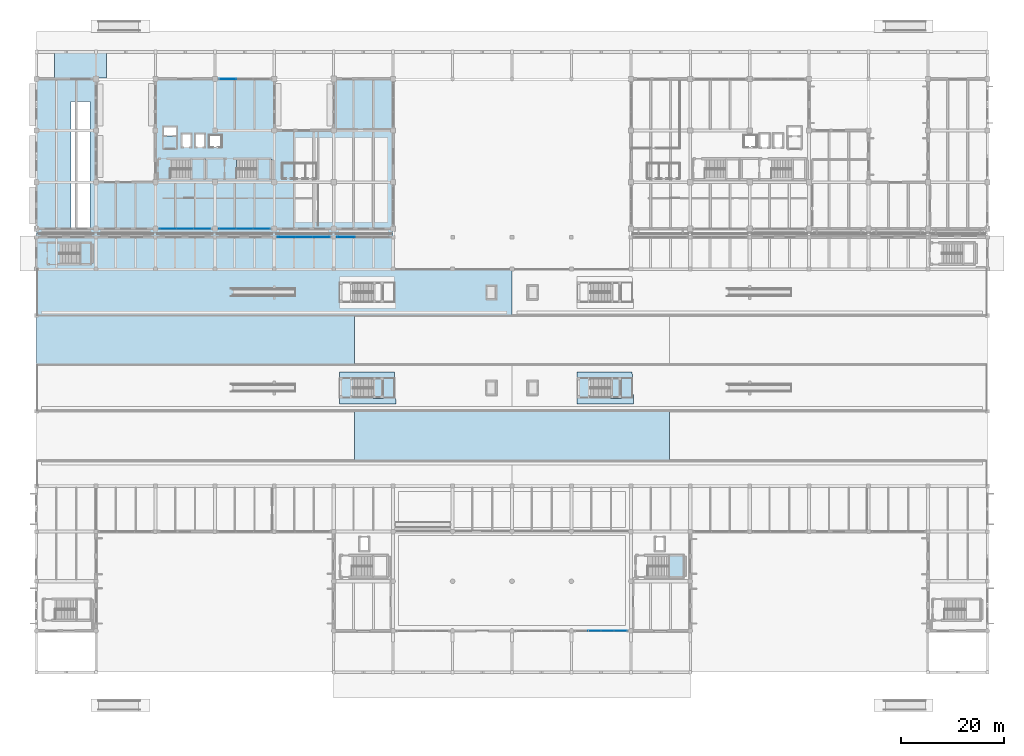
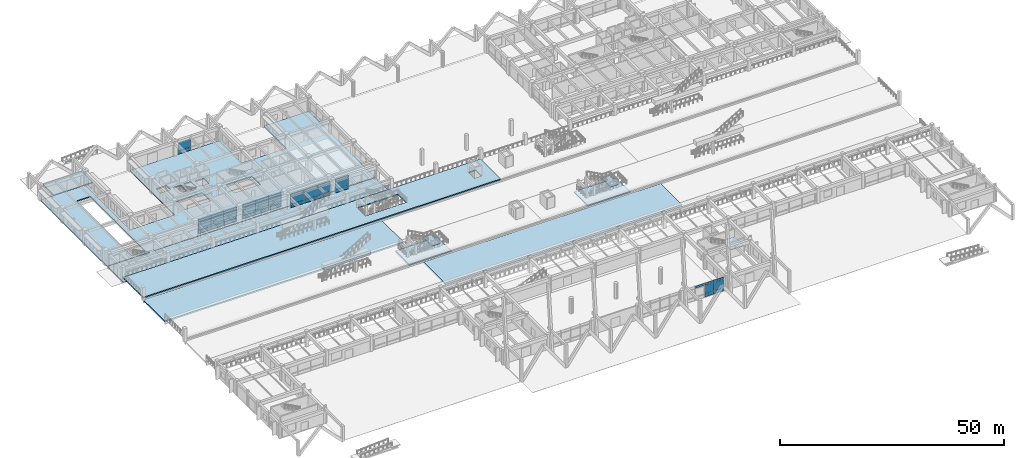
# One storey, part 73 of 109: 39 plates, 14 slabs, 12 elements without a shape of their own.
"""IFC4 building model written with IfcOpenShell, lengths in metres."""

from ifc_helpers import new_model, si_unit, direction, frame, origin, origin_2d, place, context, subcontext, project, spatial, polyline, rectangle, outline, extrude, material, layer, layer_set, type_object, element, aggregate, save


model = new_model("IFC4")

# Units and contexts
model_context = context("Model", 3, precision=1e-05, world=origin(), true_north=direction((0.0, 1.0)))
body_context = subcontext(model_context, "Body", "Model", "MODEL_VIEW")
ifc_project = project(units=[si_unit("LENGTHUNIT", "METRE"), si_unit("AREAUNIT", "SQUARE_METRE"), si_unit("VOLUMEUNIT", "CUBIC_METRE"), si_unit("PLANEANGLEUNIT", "RADIAN"), si_unit("MASSUNIT", "GRAM", prefix="KILO")], contexts=[model_context])

# Site, building, storey
site_placement = place(None, origin())
site = spatial("IfcSite", under=ifc_project, at=site_placement, CompositionType="ELEMENT")
building_placement = place(site_placement, origin())
building = spatial("IfcBuilding", under=site, at=building_placement, Name="Ologun Quay Terminus", CompositionType="ELEMENT")
storey_placement = place(building_placement, origin())
storey = spatial("IfcBuildingStorey", under=building, at=storey_placement, Name="L00", CompositionType="ELEMENT", Elevation=0.0)

# Curtain wall, plates
ifc_material_1 = material(Name="Aluminium 6063-T6", Category="aluminium")
curtain_wall_type_1 = type_object("IfcCurtainWallType", Name="Forecourt Arcade Curtain Wall 10700x3750", PredefinedType="USERDEFINED", material=ifc_material_1)
curtain_wall_1_placement = place(storey_placement, origin())
curtain_wall_1 = element("IfcCurtainWall", 1, at=curtain_wall_1_placement, inside=storey, type_object=curtain_wall_type_1, Name="CW-03 Curtain Wall CW-L00-006", ObjectType="UNITISED CURTAIN WALL", PredefinedType="USERDEFINED")
ifc_material_2 = material(Name="Glass", Category="glass")
ifc_layer_1 = layer(ifc_material_2, 0.031982421875)
ifc_layer_set_1 = layer_set([ifc_layer_1], Name="Glass")
plate_type_1 = type_object("IfcPlateType", Name="Acoustic Low-E Laminated Glazed Panel 32", PredefinedType="CURTAIN_PANEL", material=ifc_layer_set_1)
plate_1_placement = place(storey_placement, frame((108.017578125, 8.0, 3.2099609375), z_axis=(0.0, 0.0, 1.0), x_axis=(1.0, 0.0, 0.0)))
plate_1 = element("IfcPlate", 2, at=plate_1_placement, type_object=plate_type_1, Name="CW-L00-006 Panel B2-3", PredefinedType="CURTAIN_PANEL", context=body_context, shape_type="SweptSolid", body=[
    extrude(rectangle(XDim=2.465087890625, YDim=0.031982421875, at=origin_2d()), origin(), (0.0, 0.0, 1.0), 0.639892578125),
])
plate_2_placement = place(storey_placement, frame((110.482421875, 8.0, 0.93017578125), z_axis=(0.0, 0.0, 1.0), x_axis=(1.0, 0.0, 0.0)))
plate_2 = element("IfcPlate", 3, at=plate_2_placement, type_object=plate_type_1, Name="CW-L00-006 Panel B3-2", PredefinedType="CURTAIN_PANEL", context=body_context, shape_type="SweptSolid", body=[
    extrude(rectangle(XDim=2.465087890625, YDim=0.031982421875, at=origin_2d()), origin(), (0.0, 0.0, 1.0), 2.219970703125),
])
plate_3_placement = place(storey_placement, frame((110.482421875, 8.0, 3.2099609375), z_axis=(0.0, 0.0, 1.0), x_axis=(1.0, 0.0, 0.0)))
plate_3 = element("IfcPlate", 4, at=plate_3_placement, type_object=plate_type_1, Name="CW-L00-006 Panel B3-3", PredefinedType="CURTAIN_PANEL", context=body_context, shape_type="SweptSolid", body=[
    extrude(rectangle(XDim=2.465087890625, YDim=0.031982421875, at=origin_2d()), origin(), (0.0, 0.0, 1.0), 0.639892578125),
])
plate_4_placement = place(storey_placement, frame((112.947509765625, 8.0, 0.93017578125), z_axis=(0.0, 0.0, 1.0), x_axis=(1.0, 0.0, 0.0)))
plate_4 = element("IfcPlate", 5, at=plate_4_placement, type_object=plate_type_1, Name="CW-L00-006 Panel B4-2", PredefinedType="CURTAIN_PANEL", context=body_context, shape_type="SweptSolid", body=[
    extrude(rectangle(XDim=2.465087890625, YDim=0.031982421875, at=origin_2d()), origin(), (0.0, 0.0, 1.0), 2.219970703125),
])
plate_5_placement = place(storey_placement, frame((112.947509765625, 8.0, 3.2099609375), z_axis=(0.0, 0.0, 1.0), x_axis=(1.0, 0.0, 0.0)))
plate_5 = element("IfcPlate", 6, at=plate_5_placement, type_object=plate_type_1, Name="CW-L00-006 Panel B4-3", PredefinedType="CURTAIN_PANEL", context=body_context, shape_type="SweptSolid", body=[
    extrude(rectangle(XDim=2.465087890625, YDim=0.031982421875, at=origin_2d()), origin(), (0.0, 0.0, 1.0), 0.639892578125),
])

# Curtain wall, plate
ifc_material_3 = material(Name="Aluminium 6063-T6", Category="aluminium")
curtain_wall_type_2 = type_object("IfcCurtainWallType", Name="Waterfront Pavilion Harbour Curtain Wall L00 10500x3750", PredefinedType="USERDEFINED", material=ifc_material_3)
curtain_wall_2_placement = place(storey_placement, origin())
curtain_wall_2 = element("IfcCurtainWall", 7, at=curtain_wall_2_placement, inside=storey, type_object=curtain_wall_type_2, Name="CW-22 Curtain Wall CW-L00-096", ObjectType="UNITISED CURTAIN WALL", PredefinedType="USERDEFINED")
ifc_material_4 = material(Name="Aluminium 6063-T6", Category="aluminium")
ifc_layer_2 = layer(ifc_material_4, 0.06005859375)
ifc_layer_set_2 = layer_set([ifc_layer_2], Name="Aluminium 6063-T6")
plate_type_2 = type_object("IfcPlateType", Name="Anodised Bronze Spandrel Panel 60", PredefinedType="CURTAIN_PANEL", material=ifc_layer_set_2)
plate_6_placement = place(storey_placement, frame((36.99658203125, 114.800048828125, 0.02978515625), z_axis=(0.0, 0.0, 1.0), x_axis=(1.0, 0.0, 0.0)))
plate_6 = element("IfcPlate", 8, at=plate_6_placement, type_object=plate_type_2, Name="CW-L00-096 Panel B1-1", PredefinedType="CURTAIN_PANEL", context=body_context, shape_type="SweptSolid", body=[
    extrude(rectangle(XDim=3.25341796875, YDim=0.06005859375, at=origin_2d()), origin(), (0.0, 0.0, 1.0), 0.840087890625),
])

# Slabs
ifc_material_5 = material(Name="Concrete C40/50", Category="concrete")
ifc_layer_3 = layer(ifc_material_5, 0.320068359375)
ifc_layer_set_3 = layer_set([ifc_layer_3], Name="Concrete C40/50")
slab_type_1 = type_object("IfcSlabType", Name="Ground Podium Structural Slab 320", PredefinedType="FLOOR", material=ifc_layer_set_3)
slab_1_placement = place(storey_placement, frame((0.0, 0.0, -0.320068359375)))
element("IfcSlab", 9, at=slab_1_placement, inside=storey, type_object=slab_type_1, Name="SL-GND North Station Gallery Ground Slab W", PredefinedType="FLOOR", context=body_context, shape_type="SweptSolid", body=[
    extrude(outline(polyline([(0.0, 78.0), (69.0, 78.0), (69.0, 84.96240234375), (0.0, 84.96240234375), (0.0, 78.0)])), origin(), (0.0, 0.0, 1.0), 0.320068359375),
])
slab_2_placement = place(storey_placement, frame((0.0, 0.0, -0.320068359375)))
element("IfcSlab", 10, at=slab_2_placement, inside=storey, type_object=slab_type_1, Name="SL-GND North Wing Ground Slab WWNG", PredefinedType="FLOOR", context=body_context, shape_type="SweptSolid", body=[
    extrude(outline(polyline([(0.0, 85.03759765625), (69.0, 85.03759765625), (69.0, 114.800048828125), (57.5, 114.800048828125), (57.5, 104.800048828125), (46.0, 104.800048828125), (46.0, 114.800048828125), (23.0, 114.800048828125), (23.0, 94.800048828125), (11.5, 94.800048828125), (11.5, 114.800048828125), (0.0, 114.800048828125), (0.0, 85.03759765625)]), holes=[polyline([(24.449951171875, 103.780029296875), (24.449951171875, 105.6201171875), (27.14990234375, 105.6201171875), (27.14990234375, 103.780029296875), (24.449951171875, 103.780029296875)]), polyline([(28.050048828125, 101.5), (28.050048828125, 104.199951171875), (29.949951171875, 104.199951171875), (29.949951171875, 101.5), (28.050048828125, 101.5)]), polyline([(30.699951171875, 101.5), (30.699951171875, 104.199951171875), (32.60009765625, 104.199951171875), (32.60009765625, 101.5), (30.699951171875, 101.5)]), polyline([(25.8798828125, 95.550048828125), (25.8798828125, 99.14990234375), (32.64990234375, 99.14990234375), (32.64990234375, 95.550048828125), (25.8798828125, 95.550048828125)]), polyline([(38.72998046875, 95.550048828125), (38.72998046875, 99.14990234375), (45.449951171875, 99.14990234375), (45.449951171875, 95.550048828125), (38.72998046875, 95.550048828125)]), polyline([(6.699951171875, 85.919921875), (6.699951171875, 110.449951171875), (10.300048828125, 110.449951171875), (10.300048828125, 85.919921875), (6.699951171875, 85.919921875)]), polyline([(33.39990234375, 101.60009765625), (33.39990234375, 103.89990234375), (35.800048828125, 103.89990234375), (35.800048828125, 101.60009765625), (33.39990234375, 101.60009765625)])]), origin(), (0.0, 0.0, 1.0), 0.320068359375),
])
slab_3_placement = place(storey_placement, frame((0.0, 0.0, -0.320068359375)))
element("IfcSlab", 11, at=slab_3_placement, inside=storey, type_object=slab_type_1, Name="SL-GND Platform Stair Base Slab ST-P1", PredefinedType="FLOOR", context=body_context, shape_type="SweptSolid", body=[
    extrude(outline(polyline([(58.60009765625, 51.89990234375), (69.550048828125, 51.89990234375), (69.25, 58.10009765625), (58.60009765625, 58.10009765625), (58.60009765625, 51.89990234375)])), origin(), (0.0, 0.0, 1.0), 0.320068359375),
])
slab_4_placement = place(storey_placement, frame((0.0, 0.0, -0.320068359375)))
element("IfcSlab", 12, at=slab_4_placement, inside=storey, type_object=slab_type_1, Name="SL-GND Platform Stair Base Slab ST-P2", PredefinedType="FLOOR", context=body_context, shape_type="SweptSolid", body=[
    extrude(outline(polyline([(104.60009765625, 51.89990234375), (115.550048828125, 51.89990234375), (115.25, 58.10009765625), (104.60009765625, 58.10009765625), (104.60009765625, 51.89990234375)])), origin(), (0.0, 0.0, 1.0), 0.320068359375),
])

# Plate
ifc_material_6 = material(Name="Glass", Category="glass")
ifc_layer_4 = layer(ifc_material_6, 0.035888671875)
ifc_layer_set_4 = layer_set([ifc_layer_4], Name="Glass")
plate_type_3 = type_object("IfcPlateType", Name="High-Selectivity Harbour Glazed Panel 36", PredefinedType="CURTAIN_PANEL", material=ifc_layer_set_4)
plate_7_placement = place(storey_placement, frame((36.99658203125, 114.800048828125, 0.929931640625), z_axis=(0.0, 0.0, 1.0), x_axis=(1.0, 0.0, 0.0)))
plate_7 = element("IfcPlate", 13, at=plate_7_placement, type_object=plate_type_3, Name="CW-L00-096 Panel B1-2", PredefinedType="CURTAIN_PANEL", context=body_context, shape_type="SweptSolid", body=[
    extrude(rectangle(XDim=3.25341796875, YDim=0.035888671875, at=origin_2d()), origin(), (0.0, 0.0, 1.0), 2.27001953125),
])

aggregate(curtain_wall_2, [plate_6, plate_7])

ifc_material_7 = material(Name="Aluminium 6063-T6", Category="aluminium")
ifc_layer_5 = layer(ifc_material_7, 0.050048828125)
ifc_layer_set_5 = layer_set([ifc_layer_5], Name="Aluminium 6063-T6")
plate_type_4 = type_object("IfcPlateType", Name="Insulated Aluminium Shadow-Box Spandrel 50", PredefinedType="CURTAIN_PANEL", material=ifc_layer_set_5)
plate_8_placement = place(storey_placement, frame((110.482421875, 8.0, 0.02978515625), z_axis=(0.0, 0.0, 1.0), x_axis=(1.0, 0.0, 0.0)))
plate_8 = element("IfcPlate", 14, at=plate_8_placement, type_object=plate_type_4, Name="CW-L00-006 Panel B3-1", PredefinedType="CURTAIN_PANEL", context=body_context, shape_type="SweptSolid", body=[
    extrude(rectangle(XDim=2.465087890625, YDim=0.050048828125, at=origin_2d()), origin(), (0.0, 0.0, 1.0), 0.840087890625),
])

plate_9_placement = place(storey_placement, frame((112.947509765625, 8.0, 0.02978515625), z_axis=(0.0, 0.0, 1.0), x_axis=(1.0, 0.0, 0.0)))
plate_9 = element("IfcPlate", 15, at=plate_9_placement, type_object=plate_type_4, Name="CW-L00-006 Panel B4-1", PredefinedType="CURTAIN_PANEL", context=body_context, shape_type="SweptSolid", body=[
    extrude(rectangle(XDim=2.465087890625, YDim=0.050048828125, at=origin_2d()), origin(), (0.0, 0.0, 1.0), 0.840087890625),
])

aggregate(curtain_wall_1, [plate_1, plate_8, plate_2, plate_3, plate_9, plate_4, plate_5])

# Curtain wall, plates
ifc_material_8 = material(Name="Aluminium 6063-T6", Category="aluminium")
curtain_wall_type_3 = type_object("IfcCurtainWallType", Name="Ticket Hall Grand Portal Curtain Wall 10700x7700", PredefinedType="USERDEFINED", material=ifc_material_8)
curtain_wall_3_placement = place(storey_placement, origin())
curtain_wall_3 = element("IfcCurtainWall", 16, at=curtain_wall_3_placement, inside=storey, type_object=curtain_wall_type_3, Name="CW-01 Curtain Wall CW-L00-084", ObjectType="UNITISED CURTAIN WALL", PredefinedType="USERDEFINED")
plate_10_placement = place(storey_placement, frame((48.396728515625, 84.199951171875, 0.02978515625), z_axis=(0.0, 0.0, 1.0), x_axis=(1.0, 0.0, 0.0)))
plate_10 = element("IfcPlate", 17, at=plate_10_placement, type_object=plate_type_4, Name="CW-L00-084 Panel B1-1", PredefinedType="CURTAIN_PANEL", context=body_context, shape_type="SweptSolid", body=[
    extrude(rectangle(XDim=3.353271484375, YDim=0.050048828125, at=origin_2d()), origin(), (0.0, 0.0, 1.0), 0.840087890625),
])
plate_11_placement = place(storey_placement, frame((51.75, 84.199951171875, 0.02978515625), z_axis=(0.0, 0.0, 1.0), x_axis=(1.0, 0.0, 0.0)))
plate_11 = element("IfcPlate", 18, at=plate_11_placement, type_object=plate_type_4, Name="CW-L00-084 Panel B2-1", PredefinedType="CURTAIN_PANEL", context=body_context, shape_type="SweptSolid", body=[
    extrude(rectangle(XDim=3.353271484375, YDim=0.050048828125, at=origin_2d()), origin(), (0.0, 0.0, 1.0), 0.840087890625),
])
plate_12_placement = place(storey_placement, frame((55.103271484375, 84.199951171875, 0.02978515625), z_axis=(0.0, 0.0, 1.0), x_axis=(1.0, 0.0, 0.0)))
plate_12 = element("IfcPlate", 19, at=plate_12_placement, type_object=plate_type_4, Name="CW-L00-084 Panel B3-1", PredefinedType="CURTAIN_PANEL", context=body_context, shape_type="SweptSolid", body=[
    extrude(rectangle(XDim=3.353271484375, YDim=0.050048828125, at=origin_2d()), origin(), (0.0, 0.0, 1.0), 0.840087890625),
])

# Curtain wall, plate
curtain_wall_4_placement = place(storey_placement, origin())
curtain_wall_4 = element("IfcCurtainWall", 20, at=curtain_wall_4_placement, inside=storey, type_object=curtain_wall_type_3, Name="CW-01 Curtain Wall CW-L00-085", ObjectType="UNITISED CURTAIN WALL", PredefinedType="USERDEFINED")
plate_13_placement = place(storey_placement, frame((59.896728515625, 84.199951171875, 0.02978515625), z_axis=(0.0, 0.0, 1.0), x_axis=(1.0, 0.0, 0.0)))
plate_13 = element("IfcPlate", 21, at=plate_13_placement, type_object=plate_type_4, Name="CW-L00-085 Panel B1-1", PredefinedType="CURTAIN_PANEL", context=body_context, shape_type="SweptSolid", body=[
    extrude(rectangle(XDim=3.353271484375, YDim=0.050048828125, at=origin_2d()), origin(), (0.0, 0.0, 1.0), 0.840087890625),
])

# Curtain wall, plates
curtain_wall_5_placement = place(storey_placement, origin())
curtain_wall_5 = element("IfcCurtainWall", 22, at=curtain_wall_5_placement, inside=storey, type_object=curtain_wall_type_2, Name="CW-22 Curtain Wall CW-L00-092", ObjectType="UNITISED CURTAIN WALL", PredefinedType="USERDEFINED")
plate_14_placement = place(storey_placement, frame((25.49658203125, 85.800048828125, 0.02978515625), z_axis=(0.0, 0.0, 1.0), x_axis=(1.0, 0.0, 0.0)))
plate_14 = element("IfcPlate", 23, at=plate_14_placement, type_object=plate_type_4, Name="CW-L00-092 Panel B1-1", PredefinedType="CURTAIN_PANEL", context=body_context, shape_type="SweptSolid", body=[
    extrude(rectangle(XDim=3.25341796875, YDim=0.050048828125, at=origin_2d()), origin(), (0.0, 0.0, 1.0), 0.840087890625),
])
plate_15_placement = place(storey_placement, frame((28.75, 85.800048828125, 0.02978515625), z_axis=(0.0, 0.0, 1.0), x_axis=(1.0, 0.0, 0.0)))
plate_15 = element("IfcPlate", 24, at=plate_15_placement, type_object=plate_type_4, Name="CW-L00-092 Panel B2-1", PredefinedType="CURTAIN_PANEL", context=body_context, shape_type="SweptSolid", body=[
    extrude(rectangle(XDim=3.25341796875, YDim=0.050048828125, at=origin_2d()), origin(), (0.0, 0.0, 1.0), 0.840087890625),
])
plate_16_placement = place(storey_placement, frame((32.00341796875, 85.800048828125, 0.02978515625), z_axis=(0.0, 0.0, 1.0), x_axis=(1.0, 0.0, 0.0)))
plate_16 = element("IfcPlate", 25, at=plate_16_placement, type_object=plate_type_4, Name="CW-L00-092 Panel B3-1", PredefinedType="CURTAIN_PANEL", context=body_context, shape_type="SweptSolid", body=[
    extrude(rectangle(XDim=3.25341796875, YDim=0.050048828125, at=origin_2d()), origin(), (0.0, 0.0, 1.0), 0.840087890625),
])

curtain_wall_6_placement = place(storey_placement, origin())
curtain_wall_6 = element("IfcCurtainWall", 26, at=curtain_wall_6_placement, inside=storey, type_object=curtain_wall_type_2, Name="CW-22 Curtain Wall CW-L00-093", ObjectType="UNITISED CURTAIN WALL", PredefinedType="USERDEFINED")
plate_17_placement = place(storey_placement, frame((36.99658203125, 85.800048828125, 0.02978515625), z_axis=(0.0, 0.0, 1.0), x_axis=(1.0, 0.0, 0.0)))
plate_17 = element("IfcPlate", 27, at=plate_17_placement, type_object=plate_type_4, Name="CW-L00-093 Panel B1-1", PredefinedType="CURTAIN_PANEL", context=body_context, shape_type="SweptSolid", body=[
    extrude(rectangle(XDim=3.25341796875, YDim=0.050048828125, at=origin_2d()), origin(), (0.0, 0.0, 1.0), 0.840087890625),
])
plate_18_placement = place(storey_placement, frame((40.25, 85.800048828125, 0.02978515625), z_axis=(0.0, 0.0, 1.0), x_axis=(1.0, 0.0, 0.0)))
plate_18 = element("IfcPlate", 28, at=plate_18_placement, type_object=plate_type_4, Name="CW-L00-093 Panel B2-1", PredefinedType="CURTAIN_PANEL", context=body_context, shape_type="SweptSolid", body=[
    extrude(rectangle(XDim=3.25341796875, YDim=0.050048828125, at=origin_2d()), origin(), (0.0, 0.0, 1.0), 0.840087890625),
])
plate_19_placement = place(storey_placement, frame((43.50341796875, 85.800048828125, 0.02978515625), z_axis=(0.0, 0.0, 1.0), x_axis=(1.0, 0.0, 0.0)))
plate_19 = element("IfcPlate", 29, at=plate_19_placement, type_object=plate_type_4, Name="CW-L00-093 Panel B3-1", PredefinedType="CURTAIN_PANEL", context=body_context, shape_type="SweptSolid", body=[
    extrude(rectangle(XDim=3.25341796875, YDim=0.050048828125, at=origin_2d()), origin(), (0.0, 0.0, 1.0), 0.840087890625),
])

# Slabs
ifc_material_9 = material(Name="Concrete C40/50", Category="concrete")
ifc_layer_6 = layer(ifc_material_9, 0.39990234375)
ifc_layer_set_6 = layer_set([ifc_layer_6], Name="Concrete C40/50")
slab_type_2 = type_object("IfcSlabType", Name="Isolated Railway Track Bed Slab 400", PredefinedType="FLOOR", material=ifc_layer_set_6)
slab_5_placement = place(storey_placement, frame((0.0, 0.0, 0.14990234375)))
element("IfcSlab", 30, at=slab_5_placement, inside=storey, type_object=slab_type_2, Name="SL-TRK Track Bed T1-T2 Slab Zone 2", PredefinedType="FLOOR", context=body_context, shape_type="SweptSolid", body=[
    extrude(outline(polyline([(61.5, 41.0), (122.5, 41.0), (122.5, 50.5), (61.5, 50.5), (61.5, 41.0)])), origin(), (0.0, 0.0, 1.0), 0.400146484375),
])
slab_6_placement = place(storey_placement, frame((0.0, 0.0, 0.14990234375)))
element("IfcSlab", 31, at=slab_6_placement, inside=storey, type_object=slab_type_2, Name="SL-TRK Track Bed T3-T4 Slab Zone 1", PredefinedType="FLOOR", context=body_context, shape_type="SweptSolid", body=[
    extrude(outline(polyline([(0.0, 59.5), (61.5, 59.5), (61.5, 69.0), (0.0, 69.0), (0.0, 59.5)])), origin(), (0.0, 0.0, 1.0), 0.400146484375),
])
ifc_material_10 = material(Name="Concrete C40/50", Category="concrete")
ifc_layer_7 = layer(ifc_material_10, 0.300048828125)
ifc_layer_set_7 = layer_set([ifc_layer_7], Name="Concrete C40/50")
slab_type_3 = type_object("IfcSlabType", Name="Passenger Platform Deck Slab 300", PredefinedType="FLOOR", material=ifc_layer_set_7)
slab_7_placement = place(storey_placement, frame((0.0, 0.0, 0.949951171875)))
element("IfcSlab", 32, at=slab_7_placement, inside=storey, type_object=slab_type_3, Name="SL-PLT Platform 2 Slab Part 1", PredefinedType="FLOOR", context=body_context, shape_type="SweptSolid", body=[
    extrude(outline(polyline([(0.0, 69.0), (92.0, 69.0), (92.0, 78.0), (0.0, 78.0), (0.0, 69.0)]), holes=[polyline([(87.050048828125, 72.14990234375), (87.050048828125, 74.85009765625), (88.949951171875, 74.85009765625), (88.949951171875, 72.14990234375), (87.050048828125, 72.14990234375)]), polyline([(58.75, 71.64990234375), (58.75, 75.35009765625), (69.25, 75.35009765625), (69.25, 71.64990234375), (58.75, 71.64990234375)])]), origin(), (0.0, 0.0, 1.0), 0.300048828125),
])

# Stair, slab
ifc_material_11 = material(Name="Concrete C40/50", Category="concrete")
stair_type_1 = type_object("IfcStairType", Name="Courtyard Wing Core Escape Stair 1700", PredefinedType="HALF_TURN_STAIR", material=ifc_material_11)
stair_1_placement = place(storey_placement, origin())
stair_1 = element("IfcStair", 33, at=stair_1_placement, inside=storey, type_object=stair_type_1, Name="ST-W1 Stair L00", PredefinedType="HALF_TURN_STAIR")
ifc_material_12 = material(Name="Precast Concrete C40/50", Category="concrete")
ifc_layer_8 = layer(ifc_material_12, 0.179931640625)
ifc_layer_set_8 = layer_set([ifc_layer_8], Name="Precast Concrete C40/50")
slab_type_4 = type_object("IfcSlabType", Name="Precast Stair Half-Landing Slab 180", PredefinedType="LANDING", material=ifc_layer_set_8)
slab_8_placement = place(storey_placement, frame((0.0, 0.0, 1.919921875)))
slab_8 = element("IfcSlab", 34, at=slab_8_placement, type_object=slab_type_4, Name="ST-W1 Half-Landing L00", PredefinedType="LANDING", context=body_context, shape_type="SweptSolid", body=[
    extrude(outline(polyline([(29.719970703125, 95.469970703125), (32.72998046875, 95.469970703125), (32.72998046875, 99.22998046875), (29.719970703125, 99.22998046875), (29.719970703125, 95.469970703125)])), origin(), (0.0, 0.0, 1.0), 0.18017578125),
])
aggregate(stair_1, [slab_8])

stair_2_placement = place(storey_placement, origin())
stair_2 = element("IfcStair", 35, at=stair_2_placement, inside=storey, type_object=stair_type_1, Name="ST-W2 Stair L00", PredefinedType="HALF_TURN_STAIR")
slab_9_placement = place(storey_placement, frame((0.0, 0.0, 1.919921875)))
slab_9 = element("IfcSlab", 36, at=slab_9_placement, type_object=slab_type_4, Name="ST-W2 Half-Landing L00", PredefinedType="LANDING", context=body_context, shape_type="SweptSolid", body=[
    extrude(outline(polyline([(42.570068359375, 95.469970703125), (45.530029296875, 95.469970703125), (45.530029296875, 99.22998046875), (42.570068359375, 99.22998046875), (42.570068359375, 95.469970703125)])), origin(), (0.0, 0.0, 1.0), 0.18017578125),
])
aggregate(stair_2, [slab_9])

ifc_material_13 = material(Name="Concrete C40/50", Category="concrete")
stair_type_2 = type_object("IfcStairType", Name="Station Concourse Escape Stair 1800", PredefinedType="HALF_TURN_STAIR", material=ifc_material_13)
stair_3_placement = place(storey_placement, origin())
stair_3 = element("IfcStair", 37, at=stair_3_placement, inside=storey, type_object=stair_type_2, Name="ST-S4 Stair L00", PredefinedType="HALF_TURN_STAIR")
slab_10_placement = place(storey_placement, frame((0.0, 0.0, 1.919921875)))
slab_10 = element("IfcSlab", 38, at=slab_10_placement, type_object=slab_type_4, Name="ST-S4 Half-Landing L00", PredefinedType="LANDING", context=body_context, shape_type="SweptSolid", body=[
    extrude(outline(polyline([(122.1201171875, 18.52001953125), (125.3798828125, 18.52001953125), (125.3798828125, 22.47998046875), (122.1201171875, 22.47998046875), (122.1201171875, 18.52001953125)])), origin(), (0.0, 0.0, 1.0), 0.18017578125),
])
aggregate(stair_3, [slab_10])

stair_4_placement = place(storey_placement, origin())
stair_4 = element("IfcStair", 39, at=stair_4_placement, inside=storey, type_object=stair_type_2, Name="ST-NG1 Stair L00", PredefinedType="HALF_TURN_STAIR")
slab_11_placement = place(storey_placement, frame((0.0, 0.0, 1.919921875)))
slab_11 = element("IfcSlab", 40, at=slab_11_placement, type_object=slab_type_4, Name="ST-NG1 Half-Landing L00", PredefinedType="LANDING", context=body_context, shape_type="SweptSolid", body=[
    extrude(outline(polyline([(8.27001953125, 79.02001953125), (10.72998046875, 79.02001953125), (10.72998046875, 82.97998046875), (8.27001953125, 82.97998046875), (8.27001953125, 79.02001953125)])), origin(), (0.0, 0.0, 1.0), 0.18017578125),
])
aggregate(stair_4, [slab_11])

ifc_material_14 = material(Name="Concrete C40/50", Category="concrete")
stair_type_3 = type_object("IfcStairType", Name="Platform Concourse Transfer Stair 1700", PredefinedType="HALF_TURN_STAIR", material=ifc_material_14)
stair_5_placement = place(storey_placement, origin())
stair_5 = element("IfcStair", 41, at=stair_5_placement, inside=storey, type_object=stair_type_3, Name="ST-P1 Stair L00", PredefinedType="HALF_TURN_STAIR")
slab_12_placement = place(storey_placement, frame((0.0, 0.0, 1.919921875)))
slab_12 = element("IfcSlab", 42, at=slab_12_placement, type_object=slab_type_4, Name="ST-P1 Half-Landing L00", PredefinedType="LANDING", context=body_context, shape_type="SweptSolid", body=[
    extrude(outline(polyline([(65.070068359375, 53.0), (67.14990234375, 53.0), (67.14990234375, 57.0), (65.070068359375, 57.0), (65.070068359375, 53.0)])), origin(), (0.0, 0.0, 1.0), 0.18017578125),
])
aggregate(stair_5, [slab_12])

stair_6_placement = place(storey_placement, origin())
stair_6 = element("IfcStair", 43, at=stair_6_placement, inside=storey, type_object=stair_type_3, Name="ST-P2 Stair L00", PredefinedType="HALF_TURN_STAIR")
slab_13_placement = place(storey_placement, frame((0.0, 0.0, 1.919921875)))
slab_13 = element("IfcSlab", 44, at=slab_13_placement, type_object=slab_type_4, Name="ST-P2 Half-Landing L00", PredefinedType="LANDING", context=body_context, shape_type="SweptSolid", body=[
    extrude(outline(polyline([(111.070068359375, 53.0), (113.14990234375, 53.0), (113.14990234375, 57.0), (111.070068359375, 57.0), (111.070068359375, 53.0)])), origin(), (0.0, 0.0, 1.0), 0.18017578125),
])
aggregate(stair_6, [slab_13])

# Plate
ifc_material_15 = material(Name="Glass", Category="glass")
ifc_layer_9 = layer(ifc_material_15, 0.028076171875)
ifc_layer_set_9 = layer_set([ifc_layer_9], Name="Glass")
plate_type_5 = type_object("IfcPlateType", Name="Solar-Control Double Glazed Panel 28", PredefinedType="CURTAIN_PANEL", material=ifc_layer_set_9)
plate_20_placement = place(storey_placement, frame((48.396728515625, 84.199951171875, 0.929931640625), z_axis=(0.0, 0.0, 1.0), x_axis=(1.0, 0.0, 0.0)))
plate_20 = element("IfcPlate", 45, at=plate_20_placement, type_object=plate_type_5, Name="CW-L00-084 Panel B1-2", PredefinedType="CURTAIN_PANEL", context=body_context, shape_type="SweptSolid", body=[
    extrude(rectangle(XDim=3.353271484375, YDim=0.028076171875, at=origin_2d()), origin(), (0.0, 0.0, 1.0), 2.18994140625),
])

plate_21_placement = place(storey_placement, frame((48.396728515625, 84.199951171875, 3.18017578125), z_axis=(0.0, 0.0, 1.0), x_axis=(1.0, 0.0, 0.0)))
plate_21 = element("IfcPlate", 46, at=plate_21_placement, type_object=plate_type_5, Name="CW-L00-084 Panel B1-3", PredefinedType="CURTAIN_PANEL", context=body_context, shape_type="SweptSolid", body=[
    extrude(rectangle(XDim=3.353271484375, YDim=0.028076171875, at=origin_2d()), origin(), (0.0, 0.0, 1.0), 0.639892578125),
])

plate_22_placement = place(storey_placement, frame((51.75, 84.199951171875, 0.929931640625), z_axis=(0.0, 0.0, 1.0), x_axis=(1.0, 0.0, 0.0)))
plate_22 = element("IfcPlate", 47, at=plate_22_placement, type_object=plate_type_5, Name="CW-L00-084 Panel B2-2", PredefinedType="CURTAIN_PANEL", context=body_context, shape_type="SweptSolid", body=[
    extrude(rectangle(XDim=3.353271484375, YDim=0.028076171875, at=origin_2d()), origin(), (0.0, 0.0, 1.0), 2.18994140625),
])

plate_23_placement = place(storey_placement, frame((51.75, 84.199951171875, 3.18017578125), z_axis=(0.0, 0.0, 1.0), x_axis=(1.0, 0.0, 0.0)))
plate_23 = element("IfcPlate", 48, at=plate_23_placement, type_object=plate_type_5, Name="CW-L00-084 Panel B2-3", PredefinedType="CURTAIN_PANEL", context=body_context, shape_type="SweptSolid", body=[
    extrude(rectangle(XDim=3.353271484375, YDim=0.028076171875, at=origin_2d()), origin(), (0.0, 0.0, 1.0), 0.639892578125),
])

plate_24_placement = place(storey_placement, frame((55.103271484375, 84.199951171875, 0.929931640625), z_axis=(0.0, 0.0, 1.0), x_axis=(1.0, 0.0, 0.0)))
plate_24 = element("IfcPlate", 49, at=plate_24_placement, type_object=plate_type_5, Name="CW-L00-084 Panel B3-2", PredefinedType="CURTAIN_PANEL", context=body_context, shape_type="SweptSolid", body=[
    extrude(rectangle(XDim=3.353271484375, YDim=0.028076171875, at=origin_2d()), origin(), (0.0, 0.0, 1.0), 2.18994140625),
])

plate_25_placement = place(storey_placement, frame((55.103271484375, 84.199951171875, 3.18017578125), z_axis=(0.0, 0.0, 1.0), x_axis=(1.0, 0.0, 0.0)))
plate_25 = element("IfcPlate", 50, at=plate_25_placement, type_object=plate_type_5, Name="CW-L00-084 Panel B3-3", PredefinedType="CURTAIN_PANEL", context=body_context, shape_type="SweptSolid", body=[
    extrude(rectangle(XDim=3.353271484375, YDim=0.028076171875, at=origin_2d()), origin(), (0.0, 0.0, 1.0), 0.639892578125),
])

aggregate(curtain_wall_3, [plate_10, plate_20, plate_21, plate_11, plate_22, plate_23, plate_12, plate_24, plate_25])

plate_26_placement = place(storey_placement, frame((59.896728515625, 84.199951171875, 0.929931640625), z_axis=(0.0, 0.0, 1.0), x_axis=(1.0, 0.0, 0.0)))
plate_26 = element("IfcPlate", 51, at=plate_26_placement, type_object=plate_type_5, Name="CW-L00-085 Panel B1-2", PredefinedType="CURTAIN_PANEL", context=body_context, shape_type="SweptSolid", body=[
    extrude(rectangle(XDim=3.353271484375, YDim=0.028076171875, at=origin_2d()), origin(), (0.0, 0.0, 1.0), 2.18994140625),
])

plate_27_placement = place(storey_placement, frame((59.896728515625, 84.199951171875, 3.18017578125), z_axis=(0.0, 0.0, 1.0), x_axis=(1.0, 0.0, 0.0)))
plate_27 = element("IfcPlate", 52, at=plate_27_placement, type_object=plate_type_5, Name="CW-L00-085 Panel B1-3", PredefinedType="CURTAIN_PANEL", context=body_context, shape_type="SweptSolid", body=[
    extrude(rectangle(XDim=3.353271484375, YDim=0.028076171875, at=origin_2d()), origin(), (0.0, 0.0, 1.0), 0.639892578125),
])

aggregate(curtain_wall_4, [plate_13, plate_26, plate_27])

plate_28_placement = place(storey_placement, frame((25.49658203125, 85.800048828125, 0.929931640625), z_axis=(0.0, 0.0, 1.0), x_axis=(1.0, 0.0, 0.0)))
plate_28 = element("IfcPlate", 53, at=plate_28_placement, type_object=plate_type_5, Name="CW-L00-092 Panel B1-2", PredefinedType="CURTAIN_PANEL", context=body_context, shape_type="SweptSolid", body=[
    extrude(rectangle(XDim=3.25341796875, YDim=0.028076171875, at=origin_2d()), origin(), (0.0, 0.0, 1.0), 2.27001953125),
])

plate_29_placement = place(storey_placement, frame((25.49658203125, 85.800048828125, 3.26025390625), z_axis=(0.0, 0.0, 1.0), x_axis=(1.0, 0.0, 0.0)))
plate_29 = element("IfcPlate", 54, at=plate_29_placement, type_object=plate_type_5, Name="CW-L00-092 Panel B1-3", PredefinedType="CURTAIN_PANEL", context=body_context, shape_type="SweptSolid", body=[
    extrude(rectangle(XDim=3.25341796875, YDim=0.028076171875, at=origin_2d()), origin(), (0.0, 0.0, 1.0), 0.639892578125),
])

plate_30_placement = place(storey_placement, frame((28.75, 85.800048828125, 0.929931640625), z_axis=(0.0, 0.0, 1.0), x_axis=(1.0, 0.0, 0.0)))
plate_30 = element("IfcPlate", 55, at=plate_30_placement, type_object=plate_type_5, Name="CW-L00-092 Panel B2-2", PredefinedType="CURTAIN_PANEL", context=body_context, shape_type="SweptSolid", body=[
    extrude(rectangle(XDim=3.25341796875, YDim=0.028076171875, at=origin_2d()), origin(), (0.0, 0.0, 1.0), 2.27001953125),
])

plate_31_placement = place(storey_placement, frame((28.75, 85.800048828125, 3.26025390625), z_axis=(0.0, 0.0, 1.0), x_axis=(1.0, 0.0, 0.0)))
plate_31 = element("IfcPlate", 56, at=plate_31_placement, type_object=plate_type_5, Name="CW-L00-092 Panel B2-3", PredefinedType="CURTAIN_PANEL", context=body_context, shape_type="SweptSolid", body=[
    extrude(rectangle(XDim=3.25341796875, YDim=0.028076171875, at=origin_2d()), origin(), (0.0, 0.0, 1.0), 0.639892578125),
])

plate_32_placement = place(storey_placement, frame((32.00341796875, 85.800048828125, 0.929931640625), z_axis=(0.0, 0.0, 1.0), x_axis=(1.0, 0.0, 0.0)))
plate_32 = element("IfcPlate", 57, at=plate_32_placement, type_object=plate_type_5, Name="CW-L00-092 Panel B3-2", PredefinedType="CURTAIN_PANEL", context=body_context, shape_type="SweptSolid", body=[
    extrude(rectangle(XDim=3.25341796875, YDim=0.028076171875, at=origin_2d()), origin(), (0.0, 0.0, 1.0), 2.27001953125),
])

plate_33_placement = place(storey_placement, frame((32.00341796875, 85.800048828125, 3.26025390625), z_axis=(0.0, 0.0, 1.0), x_axis=(1.0, 0.0, 0.0)))
plate_33 = element("IfcPlate", 58, at=plate_33_placement, type_object=plate_type_5, Name="CW-L00-092 Panel B3-3", PredefinedType="CURTAIN_PANEL", context=body_context, shape_type="SweptSolid", body=[
    extrude(rectangle(XDim=3.25341796875, YDim=0.028076171875, at=origin_2d()), origin(), (0.0, 0.0, 1.0), 0.639892578125),
])

aggregate(curtain_wall_5, [plate_14, plate_28, plate_29, plate_15, plate_30, plate_31, plate_16, plate_32, plate_33])

plate_34_placement = place(storey_placement, frame((36.99658203125, 85.800048828125, 0.929931640625), z_axis=(0.0, 0.0, 1.0), x_axis=(1.0, 0.0, 0.0)))
plate_34 = element("IfcPlate", 59, at=plate_34_placement, type_object=plate_type_5, Name="CW-L00-093 Panel B1-2", PredefinedType="CURTAIN_PANEL", context=body_context, shape_type="SweptSolid", body=[
    extrude(rectangle(XDim=3.25341796875, YDim=0.028076171875, at=origin_2d()), origin(), (0.0, 0.0, 1.0), 2.27001953125),
])

plate_35_placement = place(storey_placement, frame((36.99658203125, 85.800048828125, 3.26025390625), z_axis=(0.0, 0.0, 1.0), x_axis=(1.0, 0.0, 0.0)))
plate_35 = element("IfcPlate", 60, at=plate_35_placement, type_object=plate_type_5, Name="CW-L00-093 Panel B1-3", PredefinedType="CURTAIN_PANEL", context=body_context, shape_type="SweptSolid", body=[
    extrude(rectangle(XDim=3.25341796875, YDim=0.028076171875, at=origin_2d()), origin(), (0.0, 0.0, 1.0), 0.639892578125),
])

plate_36_placement = place(storey_placement, frame((40.25, 85.800048828125, 0.929931640625), z_axis=(0.0, 0.0, 1.0), x_axis=(1.0, 0.0, 0.0)))
plate_36 = element("IfcPlate", 61, at=plate_36_placement, type_object=plate_type_5, Name="CW-L00-093 Panel B2-2", PredefinedType="CURTAIN_PANEL", context=body_context, shape_type="SweptSolid", body=[
    extrude(rectangle(XDim=3.25341796875, YDim=0.028076171875, at=origin_2d()), origin(), (0.0, 0.0, 1.0), 2.27001953125),
])

plate_37_placement = place(storey_placement, frame((40.25, 85.800048828125, 3.26025390625), z_axis=(0.0, 0.0, 1.0), x_axis=(1.0, 0.0, 0.0)))
plate_37 = element("IfcPlate", 62, at=plate_37_placement, type_object=plate_type_5, Name="CW-L00-093 Panel B2-3", PredefinedType="CURTAIN_PANEL", context=body_context, shape_type="SweptSolid", body=[
    extrude(rectangle(XDim=3.25341796875, YDim=0.028076171875, at=origin_2d()), origin(), (0.0, 0.0, 1.0), 0.639892578125),
])

plate_38_placement = place(storey_placement, frame((43.50341796875, 85.800048828125, 0.929931640625), z_axis=(0.0, 0.0, 1.0), x_axis=(1.0, 0.0, 0.0)))
plate_38 = element("IfcPlate", 63, at=plate_38_placement, type_object=plate_type_5, Name="CW-L00-093 Panel B3-2", PredefinedType="CURTAIN_PANEL", context=body_context, shape_type="SweptSolid", body=[
    extrude(rectangle(XDim=3.25341796875, YDim=0.028076171875, at=origin_2d()), origin(), (0.0, 0.0, 1.0), 2.27001953125),
])

plate_39_placement = place(storey_placement, frame((43.50341796875, 85.800048828125, 3.26025390625), z_axis=(0.0, 0.0, 1.0), x_axis=(1.0, 0.0, 0.0)))
plate_39 = element("IfcPlate", 64, at=plate_39_placement, type_object=plate_type_5, Name="CW-L00-093 Panel B3-3", PredefinedType="CURTAIN_PANEL", context=body_context, shape_type="SweptSolid", body=[
    extrude(rectangle(XDim=3.25341796875, YDim=0.028076171875, at=origin_2d()), origin(), (0.0, 0.0, 1.0), 0.639892578125),
])

aggregate(curtain_wall_6, [plate_17, plate_34, plate_35, plate_18, plate_36, plate_37, plate_19, plate_38, plate_39])

# Slab
ifc_material_16 = material(Name="Concrete C40/50", Category="concrete")
ifc_layer_10 = layer(ifc_material_16, 0.219970703125)
ifc_layer_set_10 = layer_set([ifc_layer_10], Name="Concrete C40/50")
slab_type_5 = type_object("IfcSlabType", Name="Waterfront & Courtyard Terrace Slab 220", PredefinedType="FLOOR", material=ifc_layer_set_10)
slab_14_placement = place(storey_placement, frame((0.0, 0.0, -0.260009765625)))
element("IfcSlab", 65, at=slab_14_placement, inside=storey, type_object=slab_type_5, Name="SL-TER Vehicle Ramp Driveway Apron L00", PredefinedType="FLOOR", context=body_context, shape_type="SweptSolid", body=[
    extrude(outline(polyline([(3.5, 114.949951171875), (13.5, 114.949951171875), (13.5, 119.800048828125), (3.5, 119.800048828125), (3.5, 114.949951171875)])), origin(), (0.0, 0.0, 1.0), 0.260009765625),
])

save(model, "model.ifc")
